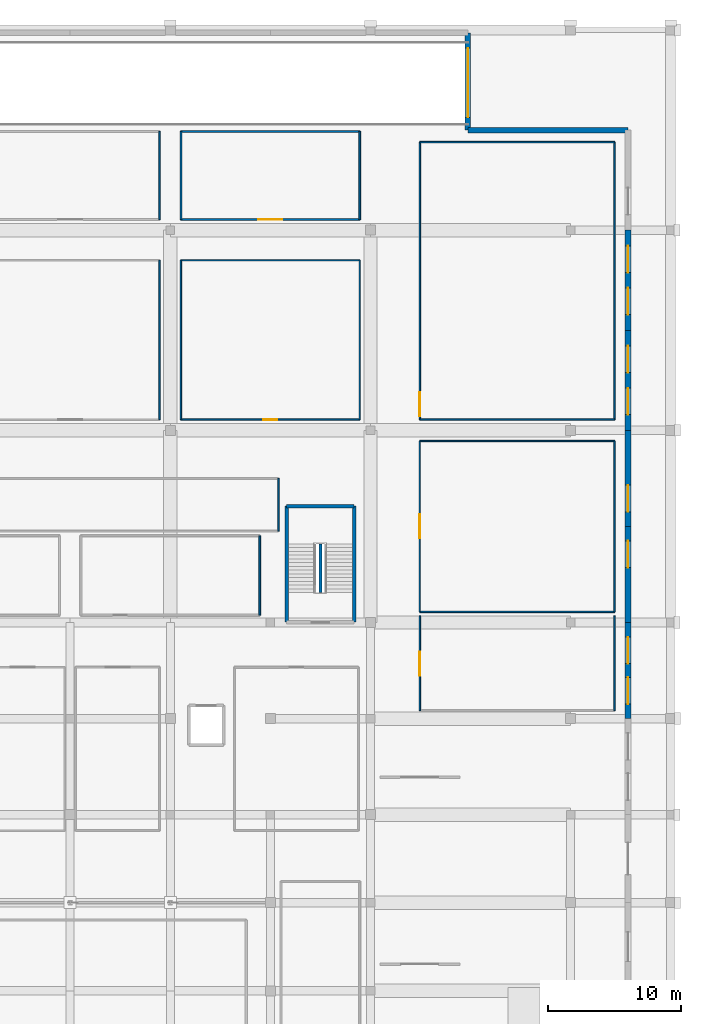
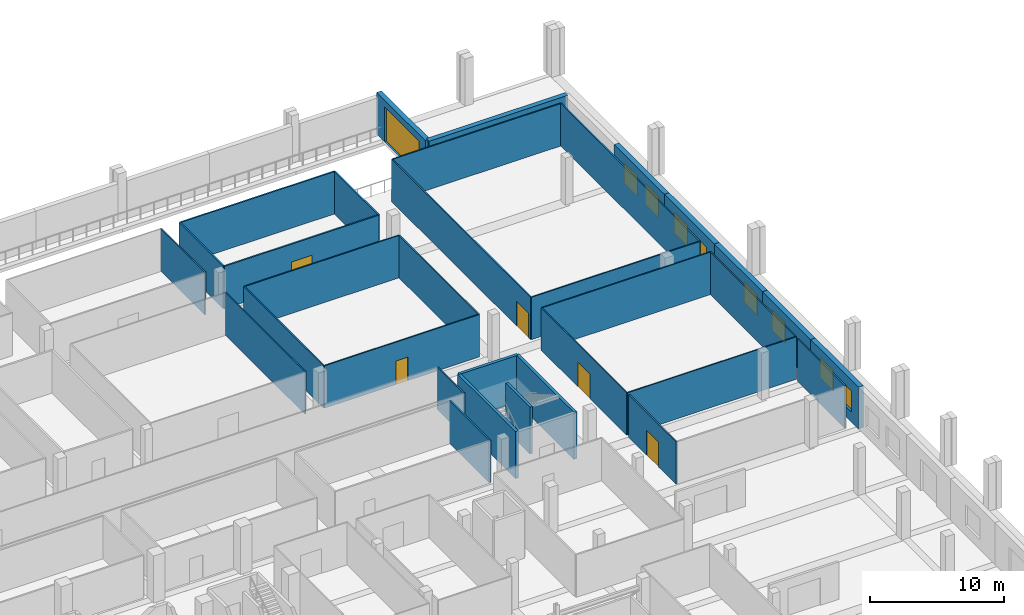
# One storey, part 24 of 33: 33 walls, 8 windows, 6 doors, 14 openings.
"""IFC4 building model written with IfcOpenShell, lengths in metres."""

from ifc_helpers import new_model, si_unit, direction, frame, frame_2d, origin, place, context, subcontext, project, spatial, rectangle, extrude, material, layer, layer_set, type_object, element, fill, save


model = new_model("IFC4")

# Units and contexts
model_context = context("Model", 3, precision=1e-05, world=origin(), true_north=direction((0.0, 1.0)))
body_context = subcontext(model_context, "Body", "Model", "MODEL_VIEW")
ifc_project = project(units=[si_unit("LENGTHUNIT", "METRE"), si_unit("AREAUNIT", "SQUARE_METRE"), si_unit("VOLUMEUNIT", "CUBIC_METRE"), si_unit("PLANEANGLEUNIT", "RADIAN"), si_unit("MASSUNIT", "GRAM", prefix="KILO")], contexts=[model_context])

# Site, building, storey
site_placement = place(None, origin())
site = spatial("IfcSite", under=ifc_project, at=site_placement, CompositionType="ELEMENT")
building_placement = place(site_placement, origin())
building = spatial("IfcBuilding", under=site, at=building_placement, Name="Akrevak Sports Hall", CompositionType="ELEMENT")
storey_placement = place(building_placement, origin())
storey = spatial("IfcBuildingStorey", under=building, at=storey_placement, Name="L00", CompositionType="ELEMENT", Elevation=0.0)

# Wall, openings, windows
ifc_material_1 = material(Name="Limestone Ashlar", Category="stone")
ifc_layer_1 = layer(ifc_material_1, 0.090087890625, Name="Limestone Ashlar")
ifc_material_2 = material(Name="Mineral Wool Thermal Insulation", Category="insulation")
ifc_layer_2 = layer(ifc_material_2, 0.110107421875, Name="Mineral Wool Thermal Insulation")
ifc_material_3 = material(Name="Concrete C40/50", Category="concrete")
ifc_layer_3 = layer(ifc_material_3, 0.219970703125, Name="Concrete C40/50")
ifc_layer_set_1 = layer_set([ifc_layer_1, ifc_layer_2, ifc_layer_3], Name="Limestone Ashlar / Mineral Wool Thermal Insulation / Concrete C40/50")
wall_type_1 = type_object("IfcWallType", Name="ARC-WL-EXT-420", PredefinedType="SOLIDWALL", material=ifc_layer_set_1)
wall_1_placement = place(storey_placement, frame((164.800048828125, 62.39990234375, 0.0), z_axis=(0.0, 0.0, 1.0), x_axis=(0.0, 1.0, 0.0)))
wall_1 = element("IfcWall", 1, at=wall_1_placement, inside=storey, type_object=wall_type_1, Name="East Avenue Arcade Limestone Wall L00-E10", PredefinedType="SOLIDWALL", context=body_context, shape_type="SweptSolid", body=[
    extrude(rectangle(XDim=7.2001953125, YDim=0.419921875, at=frame_2d((3.60009765625, 0.0))), origin(), (0.0, 0.0, 1.0), 3.820068359375),
])
opening_1_placement = place(wall_1_placement, frame((1.087890625, 0.0, 0.919921875)))
opening_1 = element("IfcOpeningElement", 2, at=opening_1_placement, cuts=wall_1, Name="Opening WN-28", PredefinedType="OPENING", context=body_context, shape_type="SweptSolid", body=[
    extrude(rectangle(XDim=2.0, YDim=1.889892578125, at=frame_2d((1.0, 0.94482421875))), frame((0.0, 0.221923828125, 0.0), z_axis=(0.0, -1.0, 0.0), x_axis=(1.0, 0.0, 0.0)), (0.0, 0.0, 1.0), 0.44384765625),
])
opening_2_placement = place(wall_1_placement, frame((4.112060546875, 0.0, 0.919921875)))
opening_2 = element("IfcOpeningElement", 3, at=opening_2_placement, cuts=wall_1, Name="Opening WN-28", PredefinedType="OPENING", context=body_context, shape_type="SweptSolid", body=[
    extrude(rectangle(XDim=2.0, YDim=1.889892578125, at=frame_2d((1.0, 0.94482421875))), frame((0.0, 0.221923828125, 0.0), z_axis=(0.0, -1.0, 0.0), x_axis=(1.0, 0.0, 0.0)), (0.0, 0.0, 1.0), 0.44384765625),
])
ifc_material_4 = material(Name="Thermally Broken Bronze Frame & Double Low-E Glass", Category="glass")
window_type = type_object("IfcWindowType", Name="ARC-WIN-SZ-2000x1890", PartitioningType="SINGLE_PANEL", PredefinedType="WINDOW", material=ifc_material_4)
window_1_placement = place(opening_1_placement, origin())
window_1 = element("IfcWindow", 4, at=window_1_placement, inside=storey, type_object=window_type, Name="Beaux-Arts Facade Window WIN-L00-E10-1", OverallHeight=1.889892578125, OverallWidth=2.0, PartitioningType="SINGLE_PANEL", PredefinedType="WINDOW", context=body_context, shape_type="SweptSolid", body=[
    extrude(rectangle(XDim=2.0, YDim=1.889892578125, at=frame_2d((1.0, 0.94482421875))), frame((0.0, 0.030029296875, 0.0), z_axis=(0.0, -1.0, 0.0), x_axis=(1.0, 0.0, 0.0)), (0.0, 0.0, 1.0), 0.06005859375),
])
fill(opening_1, window_1)
window_2_placement = place(opening_2_placement, origin())
window_2 = element("IfcWindow", 5, at=window_2_placement, inside=storey, type_object=window_type, Name="Beaux-Arts Facade Window WIN-L00-E10-2", OverallHeight=1.889892578125, OverallWidth=2.0, PartitioningType="SINGLE_PANEL", PredefinedType="WINDOW", context=body_context, shape_type="SweptSolid", body=[
    extrude(rectangle(XDim=2.0, YDim=1.889892578125, at=frame_2d((1.0, 0.94482421875))), frame((0.0, 0.030029296875, 0.0), z_axis=(0.0, -1.0, 0.0), x_axis=(1.0, 0.0, 0.0)), (0.0, 0.0, 1.0), 0.06005859375),
])
fill(opening_2, window_2)

# Wall, opening, window
wall_2_placement = place(storey_placement, frame((164.800048828125, 69.60009765625, 0.0), z_axis=(0.0, 0.0, 1.0), x_axis=(0.0, 1.0, 0.0)))
wall_2 = element("IfcWall", 6, at=wall_2_placement, inside=storey, type_object=wall_type_1, Name="East Avenue Arcade Limestone Wall L00-E11", PredefinedType="SOLIDWALL", context=body_context, shape_type="SweptSolid", body=[
    extrude(rectangle(XDim=7.199951171875, YDim=0.419921875, at=frame_2d((3.60009765625, 0.0))), origin(), (0.0, 0.0, 1.0), 3.820068359375),
])
opening_3_placement = place(wall_2_placement, frame((4.112060546875, 0.0, 0.919921875)))
opening_3 = element("IfcOpeningElement", 7, at=opening_3_placement, cuts=wall_2, Name="Opening WN-28", PredefinedType="OPENING", context=body_context, shape_type="SweptSolid", body=[
    extrude(rectangle(XDim=2.0, YDim=1.889892578125, at=frame_2d((1.0, 0.94482421875))), frame((0.0, 0.221923828125, 0.0), z_axis=(0.0, -1.0, 0.0), x_axis=(1.0, 0.0, 0.0)), (0.0, 0.0, 1.0), 0.44384765625),
])
window_3_placement = place(opening_3_placement, origin())
window_3 = element("IfcWindow", 8, at=window_3_placement, inside=storey, type_object=window_type, Name="Beaux-Arts Facade Window WIN-L00-E11-2", OverallHeight=1.889892578125, OverallWidth=2.0, PartitioningType="SINGLE_PANEL", PredefinedType="WINDOW", context=body_context, shape_type="SweptSolid", body=[
    extrude(rectangle(XDim=2.0, YDim=1.889892578125, at=frame_2d((1.0, 0.94482421875))), frame((0.0, 0.030029296875, 0.0), z_axis=(0.0, -1.0, 0.0), x_axis=(1.0, 0.0, 0.0)), (0.0, 0.0, 1.0), 0.06005859375),
])
fill(opening_3, window_3)

wall_3_placement = place(storey_placement, frame((164.800048828125, 76.800048828125, 0.0), z_axis=(0.0, 0.0, 1.0), x_axis=(0.0, 1.0, 0.0)))
wall_3 = element("IfcWall", 9, at=wall_3_placement, inside=storey, type_object=wall_type_1, Name="East Avenue Arcade Limestone Wall L00-E12", PredefinedType="SOLIDWALL", context=body_context, shape_type="SweptSolid", body=[
    extrude(rectangle(XDim=7.199951171875, YDim=0.419921875, at=frame_2d((3.60009765625, 0.0))), origin(), (0.0, 0.0, 1.0), 3.820068359375),
])
opening_4_placement = place(wall_3_placement, frame((1.087890625, 0.0, 0.919921875)))
opening_4 = element("IfcOpeningElement", 10, at=opening_4_placement, cuts=wall_3, Name="Opening WN-28", PredefinedType="OPENING", context=body_context, shape_type="SweptSolid", body=[
    extrude(rectangle(XDim=2.0, YDim=1.889892578125, at=frame_2d((1.0, 0.94482421875))), frame((0.0, 0.221923828125, 0.0), z_axis=(0.0, -1.0, 0.0), x_axis=(1.0, 0.0, 0.0)), (0.0, 0.0, 1.0), 0.44384765625),
])
window_4_placement = place(opening_4_placement, origin())
window_4 = element("IfcWindow", 11, at=window_4_placement, inside=storey, type_object=window_type, Name="Beaux-Arts Facade Window WIN-L00-E12-1", OverallHeight=1.889892578125, OverallWidth=2.0, PartitioningType="SINGLE_PANEL", PredefinedType="WINDOW", context=body_context, shape_type="SweptSolid", body=[
    extrude(rectangle(XDim=2.0, YDim=1.889892578125, at=frame_2d((1.0, 0.94482421875))), frame((0.0, 0.030029296875, 0.0), z_axis=(0.0, -1.0, 0.0), x_axis=(1.0, 0.0, 0.0)), (0.0, 0.0, 1.0), 0.06005859375),
])
fill(opening_4, window_4)

# Wall, openings, windows
wall_4_placement = place(storey_placement, frame((164.800048828125, 84.0, 0.0), z_axis=(0.0, 0.0, 1.0), x_axis=(0.0, 1.0, 0.0)))
wall_4 = element("IfcWall", 12, at=wall_4_placement, inside=storey, type_object=wall_type_1, Name="East Avenue Arcade Limestone Wall L00-E13", PredefinedType="SOLIDWALL", context=body_context, shape_type="SweptSolid", body=[
    extrude(rectangle(XDim=7.5, YDim=0.419921875, at=frame_2d((3.75, 0.0))), origin(), (0.0, 0.0, 1.0), 3.820068359375),
])
opening_5_placement = place(wall_4_placement, frame((1.175048828125, 0.0, 0.919921875)))
opening_5 = element("IfcOpeningElement", 13, at=opening_5_placement, cuts=wall_4, Name="Opening WN-28", PredefinedType="OPENING", context=body_context, shape_type="SweptSolid", body=[
    extrude(rectangle(XDim=2.0, YDim=1.889892578125, at=frame_2d((1.0, 0.94482421875))), frame((0.0, 0.221923828125, 0.0), z_axis=(0.0, -1.0, 0.0), x_axis=(1.0, 0.0, 0.0)), (0.0, 0.0, 1.0), 0.44384765625),
])
opening_6_placement = place(wall_4_placement, frame((4.324951171875, 0.0, 0.919921875)))
opening_6 = element("IfcOpeningElement", 14, at=opening_6_placement, cuts=wall_4, Name="Opening WN-28", PredefinedType="OPENING", context=body_context, shape_type="SweptSolid", body=[
    extrude(rectangle(XDim=2.0, YDim=1.889892578125, at=frame_2d((1.0, 0.94482421875))), frame((0.0, 0.221923828125, 0.0), z_axis=(0.0, -1.0, 0.0), x_axis=(1.0, 0.0, 0.0)), (0.0, 0.0, 1.0), 0.44384765625),
])
window_5_placement = place(opening_5_placement, origin())
window_5 = element("IfcWindow", 15, at=window_5_placement, inside=storey, type_object=window_type, Name="Beaux-Arts Facade Window WIN-L00-E13-1", OverallHeight=1.889892578125, OverallWidth=2.0, PartitioningType="SINGLE_PANEL", PredefinedType="WINDOW", context=body_context, shape_type="SweptSolid", body=[
    extrude(rectangle(XDim=2.0, YDim=1.889892578125, at=frame_2d((1.0, 0.94482421875))), frame((0.0, 0.030029296875, 0.0), z_axis=(0.0, -1.0, 0.0), x_axis=(1.0, 0.0, 0.0)), (0.0, 0.0, 1.0), 0.06005859375),
])
fill(opening_5, window_5)
window_6_placement = place(opening_6_placement, origin())
window_6 = element("IfcWindow", 16, at=window_6_placement, inside=storey, type_object=window_type, Name="Beaux-Arts Facade Window WIN-L00-E13-2", OverallHeight=1.889892578125, OverallWidth=2.0, PartitioningType="SINGLE_PANEL", PredefinedType="WINDOW", context=body_context, shape_type="SweptSolid", body=[
    extrude(rectangle(XDim=2.0, YDim=1.889892578125, at=frame_2d((1.0, 0.94482421875))), frame((0.0, 0.030029296875, 0.0), z_axis=(0.0, -1.0, 0.0), x_axis=(1.0, 0.0, 0.0)), (0.0, 0.0, 1.0), 0.06005859375),
])
fill(opening_6, window_6)

wall_5_placement = place(storey_placement, frame((164.800048828125, 91.5, 0.0), z_axis=(0.0, 0.0, 1.0), x_axis=(0.0, 1.0, 0.0)))
wall_5 = element("IfcWall", 17, at=wall_5_placement, inside=storey, type_object=wall_type_1, Name="East Avenue Arcade Limestone Wall L00-E14", PredefinedType="SOLIDWALL", context=body_context, shape_type="SweptSolid", body=[
    extrude(rectangle(XDim=7.5, YDim=0.419921875, at=frame_2d((3.75, 0.0))), origin(), (0.0, 0.0, 1.0), 3.820068359375),
])
opening_7_placement = place(wall_5_placement, frame((1.175048828125, 0.0, 0.919921875)))
opening_7 = element("IfcOpeningElement", 18, at=opening_7_placement, cuts=wall_5, Name="Opening WN-28", PredefinedType="OPENING", context=body_context, shape_type="SweptSolid", body=[
    extrude(rectangle(XDim=2.0, YDim=1.889892578125, at=frame_2d((1.0, 0.94482421875))), frame((0.0, 0.221923828125, 0.0), z_axis=(0.0, -1.0, 0.0), x_axis=(1.0, 0.0, 0.0)), (0.0, 0.0, 1.0), 0.44384765625),
])
opening_8_placement = place(wall_5_placement, frame((4.324951171875, 0.0, 0.919921875)))
opening_8 = element("IfcOpeningElement", 19, at=opening_8_placement, cuts=wall_5, Name="Opening WN-28", PredefinedType="OPENING", context=body_context, shape_type="SweptSolid", body=[
    extrude(rectangle(XDim=2.0, YDim=1.889892578125, at=frame_2d((1.0, 0.94482421875))), frame((0.0, 0.221923828125, 0.0), z_axis=(0.0, -1.0, 0.0), x_axis=(1.0, 0.0, 0.0)), (0.0, 0.0, 1.0), 0.44384765625),
])
window_7_placement = place(opening_7_placement, origin())
window_7 = element("IfcWindow", 20, at=window_7_placement, inside=storey, type_object=window_type, Name="Beaux-Arts Facade Window WIN-L00-E14-1", OverallHeight=1.889892578125, OverallWidth=2.0, PartitioningType="SINGLE_PANEL", PredefinedType="WINDOW", context=body_context, shape_type="SweptSolid", body=[
    extrude(rectangle(XDim=2.0, YDim=1.889892578125, at=frame_2d((1.0, 0.94482421875))), frame((0.0, 0.030029296875, 0.0), z_axis=(0.0, -1.0, 0.0), x_axis=(1.0, 0.0, 0.0)), (0.0, 0.0, 1.0), 0.06005859375),
])
fill(opening_7, window_7)
window_8_placement = place(opening_8_placement, origin())
window_8 = element("IfcWindow", 21, at=window_8_placement, inside=storey, type_object=window_type, Name="Beaux-Arts Facade Window WIN-L00-E14-2", OverallHeight=1.889892578125, OverallWidth=2.0, PartitioningType="SINGLE_PANEL", PredefinedType="WINDOW", context=body_context, shape_type="SweptSolid", body=[
    extrude(rectangle(XDim=2.0, YDim=1.889892578125, at=frame_2d((1.0, 0.94482421875))), frame((0.0, 0.030029296875, 0.0), z_axis=(0.0, -1.0, 0.0), x_axis=(1.0, 0.0, 0.0)), (0.0, 0.0, 1.0), 0.06005859375),
])
fill(opening_8, window_8)

# Wall
wall_6_placement = place(storey_placement, frame((164.800048828125, 106.5, 0.0), z_axis=(0.0, 0.0, 1.0), x_axis=(-1.0, 0.0, 0.0)))
element("IfcWall", 22, at=wall_6_placement, inside=storey, type_object=wall_type_1, Name="Vehicle Ramp Forecourt Return Wall L00", PredefinedType="SOLIDWALL", context=body_context, shape_type="SweptSolid", body=[
    extrude(rectangle(XDim=12.0, YDim=0.419921875, at=frame_2d((6.0, 0.0))), origin(), (0.0, 0.0, 1.0), 3.820068359375),
])

# Wall, opening, door
wall_7_placement = place(storey_placement, frame((152.800048828125, 106.5, 0.0), z_axis=(0.0, 0.0, 1.0), x_axis=(0.0, 1.0, 0.0)))
wall_7 = element("IfcWall", 23, at=wall_7_placement, inside=storey, type_object=wall_type_1, Name="Vehicle Ramp Entrance Portal Wall L00", PredefinedType="SOLIDWALL", context=body_context, shape_type="SweptSolid", body=[
    extrude(rectangle(XDim=7.2900390625, YDim=0.419921875, at=frame_2d((3.64501953125, 0.0))), origin(), (0.0, 0.0, 1.0), 3.820068359375),
])
opening_9_placement = place(wall_7_placement, frame((0.949951171875, 0.0, 0.0)))
opening_9 = element("IfcOpeningElement", 24, at=opening_9_placement, cuts=wall_7, Name="Opening VG-01", PredefinedType="OPENING", context=body_context, shape_type="SweptSolid", body=[
    extrude(rectangle(XDim=5.199951171875, YDim=3.199951171875, at=frame_2d((2.60009765625, 1.60009765625))), frame((0.0, 0.221923828125, 0.0), z_axis=(0.0, -1.0, 0.0), x_axis=(1.0, 0.0, 0.0)), (0.0, 0.0, 1.0), 0.44384765625),
])
ifc_material_5 = material(Name="Galvanized Roller Shutter Steel", Category="steel")
door_type_1 = type_object("IfcDoorType", Name="ARC-DR-VEH-520x320", OperationType="ROLLINGUP", PredefinedType="DOOR", material=ifc_material_5)
door_1_placement = place(opening_9_placement, frame((5.199951171875, 0.0, 0.0), z_axis=(0.0, 0.0, 1.0), x_axis=(-1.0, 0.0, 0.0)))
door_1 = element("IfcDoor", 25, at=door_1_placement, inside=storey, type_object=door_type_1, Name="Car Park Ramp Roller Shutter VG01", OperationType="ROLLINGUP", OverallHeight=3.199951171875, OverallWidth=5.199951171875, PredefinedType="DOOR", context=body_context, shape_type="SweptSolid", body=[
    extrude(rectangle(XDim=5.199951171875, YDim=3.199951171875, at=frame_2d((2.60009765625, 1.60009765625))), frame((0.0, 0.02490234375, 0.0), z_axis=(0.0, -1.0, 0.0), x_axis=(1.0, 0.0, 0.0)), (0.0, 0.0, 1.0), 0.050048828125),
])
fill(opening_9, door_1)

# Walls
ifc_material_6 = material(Name="Sanitary Cubicle Partition", Category="gypsum")
ifc_layer_4 = layer(ifc_material_6, 0.10009765625, Name="Sanitary Cubicle Partition")
ifc_layer_set_2 = layer_set([ifc_layer_4], Name="Sanitary Cubicle Partition")
wall_type_2 = type_object("IfcWallType", Name="ARC-WL-PRT-100", PredefinedType="PARTITIONING", material=ifc_layer_set_2)
wall_8_placement = place(storey_placement, frame((129.699951171875, 84.800048828125, 0.0), z_axis=(0.0, 0.0, 1.0), x_axis=(0.0, 1.0, 0.0)))
element("IfcWall", 26, at=wall_8_placement, inside=storey, type_object=wall_type_2, Name="Interior Partition Athletic Gear & Equipment Storage L00-10 (E)", PredefinedType="PARTITIONING", context=body_context, shape_type="SweptSolid", body=[
    extrude(rectangle(XDim=11.949951171875, YDim=0.10009765625, at=frame_2d((5.97509765625, 0.0))), origin(), (0.0, 0.0, 1.0), 3.8798828125),
])
for number, where, z_axis, x_axis, name in (
    (27, (149.199951171875, 70.39990234375, 0.0), (0.0, 0.0, 1.0), (1.0, 0.0, 0.0), "Interior Partition North-East Hurdles & Mat Storage L00-1 (S)"),
    (28, (149.199951171875, 83.199951171875, 0.0), (0.0, 0.0, 1.0), (1.0, 0.0, 0.0), "Interior Partition North-East Hurdles & Mat Storage L00-1 (N)"),
):
    element("IfcWall", number, at=place(storey_placement, frame(where, z_axis=z_axis, x_axis=x_axis)), inside=storey, type_object=wall_type_2, Name=name, PredefinedType="PARTITIONING", context=body_context, shape_type="SweptSolid", body=[
        extrude(rectangle(XDim=14.60009765625, YDim=0.10009765625, at=frame_2d((7.300048828125, 0.0))), origin(), (0.0, 0.0, 1.0), 3.8798828125),
    ])

# Wall, opening, door
wall_9_placement = place(storey_placement, frame((149.199951171875, 70.39990234375, 0.0), z_axis=(0.0, 0.0, 1.0), x_axis=(0.0, 1.0, 0.0)))
wall_9 = element("IfcWall", 29, at=wall_9_placement, inside=storey, type_object=wall_type_2, Name="Interior Partition North-East Hurdles & Mat Storage L00-1 (W)", PredefinedType="PARTITIONING", context=body_context, shape_type="SweptSolid", body=[
    extrude(rectangle(XDim=12.800048828125, YDim=0.10009765625, at=frame_2d((6.39990234375, 0.0))), origin(), (0.0, 0.0, 1.0), 3.8798828125),
])
opening_10_placement = place(wall_9_placement, frame((5.5, 0.0, 0.0)))
opening_10 = element("IfcOpeningElement", 30, at=opening_10_placement, cuts=wall_9, Name="Opening ID-02", PredefinedType="OPENING", context=body_context, shape_type="SweptSolid", body=[
    extrude(rectangle(XDim=1.800048828125, YDim=2.25, at=frame_2d((0.89990234375, 1.125))), frame((0.0, 0.06201171875, 0.0), z_axis=(0.0, -1.0, 0.0), x_axis=(1.0, 0.0, 0.0)), (0.0, 0.0, 1.0), 0.1240234375),
])
ifc_material_7 = material(Name="Hardwood Oak & Safety Glass", Category="wood")
door_type_2 = type_object("IfcDoorType", Name="ARC-DR-HALL-180x225", OperationType="DOUBLE_DOOR_SINGLE_SWING", PredefinedType="DOOR", material=ifc_material_7)
door_2_placement = place(opening_10_placement, origin())
door_2 = element("IfcDoor", 31, at=door_2_placement, inside=storey, type_object=door_type_2, Name="Door to North-East Hurdles & Mat Storage L00-1", OperationType="DOUBLE_DOOR_SINGLE_SWING", OverallHeight=2.25, OverallWidth=1.800048828125, PredefinedType="DOOR", context=body_context, shape_type="SweptSolid", body=[
    extrude(rectangle(XDim=1.800048828125, YDim=2.25, at=frame_2d((0.89990234375, 1.125))), frame((0.0, 0.02490234375, 0.0), z_axis=(0.0, -1.0, 0.0), x_axis=(1.0, 0.0, 0.0)), (0.0, 0.0, 1.0), 0.050048828125),
])
fill(opening_10, door_2)

# Wall
wall_10_placement = place(storey_placement, frame((163.800048828125, 70.39990234375, 0.0), z_axis=(0.0, 0.0, 1.0), x_axis=(0.0, 1.0, 0.0)))
element("IfcWall", 32, at=wall_10_placement, inside=storey, type_object=wall_type_2, Name="Interior Partition North-East Hurdles & Mat Storage L00-1 (E)", PredefinedType="PARTITIONING", context=body_context, shape_type="SweptSolid", body=[
    extrude(rectangle(XDim=12.800048828125, YDim=0.10009765625, at=frame_2d((6.39990234375, 0.0))), origin(), (0.0, 0.0, 1.0), 3.8798828125),
])

# Wall, opening, door
ifc_material_8 = material(Name="Lightweight Office Partition", Category="gypsum")
ifc_layer_5 = layer(ifc_material_8, 0.110107421875, Name="Lightweight Office Partition")
ifc_layer_set_3 = layer_set([ifc_layer_5], Name="Lightweight Office Partition")
wall_type_3 = type_object("IfcWallType", Name="ARC-WL-PRT-110", PredefinedType="PARTITIONING", material=ifc_layer_set_3)
wall_11_placement = place(storey_placement, frame((131.300048828125, 84.800048828125, 0.0), z_axis=(0.0, 0.0, 1.0), x_axis=(1.0, 0.0, 0.0)))
wall_11 = element("IfcWall", 33, at=wall_11_placement, inside=storey, type_object=wall_type_3, Name="Interior Partition Sports Federation Training Office L00-11 (S)", PredefinedType="PARTITIONING", context=body_context, shape_type="SweptSolid", body=[
    extrude(rectangle(XDim=13.39990234375, YDim=0.110107421875, at=frame_2d((6.699951171875, 0.0))), origin(), (0.0, 0.0, 1.0), 3.8798828125),
])
opening_11_placement = place(wall_11_placement, frame((6.175048828125, 0.0, 0.0)))
opening_11 = element("IfcOpeningElement", 34, at=opening_11_placement, cuts=wall_11, Name="Opening ID-05", PredefinedType="OPENING", context=body_context, shape_type="SweptSolid", body=[
    extrude(rectangle(XDim=1.050048828125, YDim=2.14990234375, at=frame_2d((0.52490234375, 1.074951171875))), frame((0.0, 0.06689453125, 0.0), z_axis=(0.0, -1.0, 0.0), x_axis=(1.0, 0.0, 0.0)), (0.0, 0.0, 1.0), 0.134033203125),
])
ifc_material_9 = material(Name="Hardwood Oak Acoustic Leaf", Category="wood")
door_type_3 = type_object("IfcDoorType", Name="ARC-DR-OFF-105x215", OperationType="NOTDEFINED", PredefinedType="DOOR", material=ifc_material_9)
door_3_placement = place(opening_11_placement, frame((1.050048828125, 0.0, 0.0), z_axis=(0.0, 0.0, 1.0), x_axis=(-1.0, 0.0, 0.0)))
door_3 = element("IfcDoor", 35, at=door_3_placement, inside=storey, type_object=door_type_3, Name="Door to Sports Federation Training Office L00-11", OperationType="SINGLE_SWING_RIGHT", OverallHeight=2.14990234375, OverallWidth=1.050048828125, PredefinedType="DOOR", context=body_context, shape_type="SweptSolid", body=[
    extrude(rectangle(XDim=1.050048828125, YDim=2.14990234375, at=frame_2d((0.52490234375, 1.074951171875))), frame((0.0, 0.02490234375, 0.0), z_axis=(0.0, -1.0, 0.0), x_axis=(1.0, 0.0, 0.0)), (0.0, 0.0, 1.0), 0.050048828125),
])
fill(opening_11, door_3)

# Walls
wall_12_placement = place(storey_placement, frame((131.300048828125, 96.75, 0.0), z_axis=(0.0, 0.0, 1.0), x_axis=(1.0, 0.0, 0.0)))
element("IfcWall", 36, at=wall_12_placement, inside=storey, type_object=wall_type_3, Name="Interior Partition Sports Federation Training Office L00-11 (N)", PredefinedType="PARTITIONING", context=body_context, shape_type="SweptSolid", body=[
    extrude(rectangle(XDim=13.39990234375, YDim=0.110107421875, at=frame_2d((6.699951171875, 0.0))), origin(), (0.0, 0.0, 1.0), 3.8798828125),
])
for number, where, z_axis, x_axis, name in (
    (37, (131.300048828125, 84.800048828125, 0.0), (0.0, 0.0, 1.0), (0.0, 1.0, 0.0), "Interior Partition Sports Federation Training Office L00-11 (W)"),
    (38, (144.699951171875, 84.800048828125, 0.0), (0.0, 0.0, 1.0), (0.0, 1.0, 0.0), "Interior Partition Sports Federation Training Office L00-11 (E)"),
):
    element("IfcWall", number, at=place(storey_placement, frame(where, z_axis=z_axis, x_axis=x_axis)), inside=storey, type_object=wall_type_3, Name=name, PredefinedType="PARTITIONING", context=body_context, shape_type="SweptSolid", body=[
        extrude(rectangle(XDim=11.949951171875, YDim=0.110107421875, at=frame_2d((5.97509765625, 0.0))), origin(), (0.0, 0.0, 1.0), 3.8798828125),
    ])
for number, where, z_axis, x_axis, name in (
    (39, (149.199951171875, 84.800048828125, 0.0), (0.0, 0.0, 1.0), (1.0, 0.0, 0.0), "Interior Partition North-East Bleacher & Rigging Storage L00-2 (S)"),
    (40, (149.199951171875, 105.60009765625, 0.0), (0.0, 0.0, 1.0), (1.0, 0.0, 0.0), "Interior Partition North-East Bleacher & Rigging Storage L00-2 (N)"),
):
    element("IfcWall", number, at=place(storey_placement, frame(where, z_axis=z_axis, x_axis=x_axis)), inside=storey, type_object=wall_type_3, Name=name, PredefinedType="PARTITIONING", context=body_context, shape_type="SweptSolid", body=[
        extrude(rectangle(XDim=14.60009765625, YDim=0.110107421875, at=frame_2d((7.300048828125, 0.0))), origin(), (0.0, 0.0, 1.0), 3.8798828125),
    ])

# Wall, opening, door
wall_13_placement = place(storey_placement, frame((149.199951171875, 84.800048828125, 0.0), z_axis=(0.0, 0.0, 1.0), x_axis=(0.0, 1.0, 0.0)))
wall_13 = element("IfcWall", 41, at=wall_13_placement, inside=storey, type_object=wall_type_3, Name="Interior Partition North-East Bleacher & Rigging Storage L00-2 (W)", PredefinedType="PARTITIONING", context=body_context, shape_type="SweptSolid", body=[
    extrude(rectangle(XDim=20.800048828125, YDim=0.110107421875, at=frame_2d((10.39990234375, 0.0))), origin(), (0.0, 0.0, 1.0), 3.8798828125),
])
opening_12_placement = place(wall_13_placement, frame((0.25, 0.0, 0.0)))
opening_12 = element("IfcOpeningElement", 42, at=opening_12_placement, cuts=wall_13, Name="Opening ID-02", PredefinedType="OPENING", context=body_context, shape_type="SweptSolid", body=[
    extrude(rectangle(XDim=1.800048828125, YDim=2.25, at=frame_2d((0.89990234375, 1.125))), frame((0.0, 0.06689453125, 0.0), z_axis=(0.0, -1.0, 0.0), x_axis=(1.0, 0.0, 0.0)), (0.0, 0.0, 1.0), 0.134033203125),
])
door_4_placement = place(opening_12_placement, origin())
door_4 = element("IfcDoor", 43, at=door_4_placement, inside=storey, type_object=door_type_2, Name="Door to North-East Bleacher & Rigging Storage L00-2", OperationType="DOUBLE_DOOR_SINGLE_SWING", OverallHeight=2.25, OverallWidth=1.800048828125, PredefinedType="DOOR", context=body_context, shape_type="SweptSolid", body=[
    extrude(rectangle(XDim=1.800048828125, YDim=2.25, at=frame_2d((0.89990234375, 1.125))), frame((0.0, 0.02490234375, 0.0), z_axis=(0.0, -1.0, 0.0), x_axis=(1.0, 0.0, 0.0)), (0.0, 0.0, 1.0), 0.050048828125),
])
fill(opening_12, door_4)

# Walls
wall_14_placement = place(storey_placement, frame((163.800048828125, 84.800048828125, 0.0), z_axis=(0.0, 0.0, 1.0), x_axis=(0.0, 1.0, 0.0)))
element("IfcWall", 44, at=wall_14_placement, inside=storey, type_object=wall_type_3, Name="Interior Partition North-East Bleacher & Rigging Storage L00-2 (E)", PredefinedType="PARTITIONING", context=body_context, shape_type="SweptSolid", body=[
    extrude(rectangle(XDim=20.800048828125, YDim=0.110107421875, at=frame_2d((10.39990234375, 0.0))), origin(), (0.0, 0.0, 1.0), 3.8798828125),
])
wall_15_placement = place(storey_placement, frame((138.60009765625, 76.449951171875, 0.0), z_axis=(0.0, 0.0, 1.0), x_axis=(0.0, 1.0, 0.0)))
element("IfcWall", 45, at=wall_15_placement, inside=storey, type_object=wall_type_3, Name="Interior Partition North Athletes Gear & Kit Storage L00-2 (E)", PredefinedType="PARTITIONING", context=body_context, shape_type="SweptSolid", body=[
    extrude(rectangle(XDim=3.949951171875, YDim=0.110107421875, at=frame_2d((1.97509765625, 0.0))), origin(), (0.0, 0.0, 1.0), 3.8798828125),
])
ifc_material_10 = material(Name="Standard Metal Stud Partition", Category="gypsum")
ifc_layer_6 = layer(ifc_material_10, 0.1201171875, Name="Standard Metal Stud Partition")
ifc_layer_set_4 = layer_set([ifc_layer_6], Name="Standard Metal Stud Partition")
wall_type_4 = type_object("IfcWallType", Name="ARC-WL-PRT-120", PredefinedType="PARTITIONING", material=ifc_layer_set_4)
wall_16_placement = place(storey_placement, frame((129.699951171875, 99.800048828125, 0.0), z_axis=(0.0, 0.0, 1.0), x_axis=(0.0, 1.0, 0.0)))
element("IfcWall", 46, at=wall_16_placement, inside=storey, type_object=wall_type_4, Name="Interior Partition North-East Competition Gear Storage L00-A (E)", PredefinedType="PARTITIONING", context=body_context, shape_type="SweptSolid", body=[
    extrude(rectangle(XDim=6.599853515625, YDim=0.1201171875, at=frame_2d((3.2998046875, 0.0))), origin(), (0.0, 0.0, 1.0), 3.8798828125),
])

# Wall, opening, door
wall_17_placement = place(storey_placement, frame((149.199951171875, 63.0, 0.0), z_axis=(0.0, 0.0, 1.0), x_axis=(0.0, 1.0, 0.0)))
wall_17 = element("IfcWall", 47, at=wall_17_placement, inside=storey, type_object=wall_type_4, Name="Interior Partition North-East Team Kit Storage L00 (W)", PredefinedType="PARTITIONING", context=body_context, shape_type="SweptSolid", body=[
    extrude(rectangle(XDim=7.10009765625, YDim=0.1201171875, at=frame_2d((3.550048828125, 0.0))), origin(), (0.0, 0.0, 1.0), 3.8798828125),
])
opening_13_placement = place(wall_17_placement, frame((2.60009765625, 0.0, 0.0)))
opening_13 = element("IfcOpeningElement", 48, at=opening_13_placement, cuts=wall_17, Name="Opening ID-02", PredefinedType="OPENING", context=body_context, shape_type="SweptSolid", body=[
    extrude(rectangle(XDim=1.800048828125, YDim=2.25, at=frame_2d((0.89990234375, 1.125))), frame((0.0, 0.072021484375, 0.0), z_axis=(0.0, -1.0, 0.0), x_axis=(1.0, 0.0, 0.0)), (0.0, 0.0, 1.0), 0.14404296875),
])
door_5_placement = place(opening_13_placement, origin())
door_5 = element("IfcDoor", 49, at=door_5_placement, inside=storey, type_object=door_type_2, Name="Door to North-East Team Kit Storage L00", OperationType="DOUBLE_DOOR_SINGLE_SWING", OverallHeight=2.25, OverallWidth=1.800048828125, PredefinedType="DOOR", context=body_context, shape_type="SweptSolid", body=[
    extrude(rectangle(XDim=1.800048828125, YDim=2.25, at=frame_2d((0.89990234375, 1.125))), frame((0.0, 0.02490234375, 0.0), z_axis=(0.0, -1.0, 0.0), x_axis=(1.0, 0.0, 0.0)), (0.0, 0.0, 1.0), 0.050048828125),
])
fill(opening_13, door_5)

# Wall
wall_18_placement = place(storey_placement, frame((163.800048828125, 63.0, 0.0), z_axis=(0.0, 0.0, 1.0), x_axis=(0.0, 1.0, 0.0)))
element("IfcWall", 50, at=wall_18_placement, inside=storey, type_object=wall_type_4, Name="Interior Partition North-East Team Kit Storage L00 (E)", PredefinedType="PARTITIONING", context=body_context, shape_type="SweptSolid", body=[
    extrude(rectangle(XDim=7.10009765625, YDim=0.1201171875, at=frame_2d((3.550048828125, 0.0))), origin(), (0.0, 0.0, 1.0), 3.8798828125),
])

# Wall, opening, door
ifc_material_11 = material(Name="Acoustic Metal Stud Partition", Category="gypsum")
ifc_layer_7 = layer(ifc_material_11, 0.1298828125, Name="Acoustic Metal Stud Partition")
ifc_layer_set_5 = layer_set([ifc_layer_7], Name="Acoustic Metal Stud Partition")
wall_type_5 = type_object("IfcWallType", Name="ARC-WL-PRT-130", PredefinedType="PARTITIONING", material=ifc_layer_set_5)
wall_19_placement = place(storey_placement, frame((131.300048828125, 99.800048828125, 0.0), z_axis=(0.0, 0.0, 1.0), x_axis=(1.0, 0.0, 0.0)))
wall_19 = element("IfcWall", 51, at=wall_19_placement, inside=storey, type_object=wall_type_5, Name="Interior Partition North-East Competition Gear Storage L00-B (S)", PredefinedType="PARTITIONING", context=body_context, shape_type="SweptSolid", body=[
    extrude(rectangle(XDim=13.39990234375, YDim=0.1298828125, at=frame_2d((6.699951171875, 0.0))), origin(), (0.0, 0.0, 1.0), 3.8798828125),
])
opening_14_placement = place(wall_19_placement, frame((5.800048828125, 0.0, 0.0)))
opening_14 = element("IfcOpeningElement", 52, at=opening_14_placement, cuts=wall_19, Name="Opening ID-02", PredefinedType="OPENING", context=body_context, shape_type="SweptSolid", body=[
    extrude(rectangle(XDim=1.800048828125, YDim=2.25, at=frame_2d((0.89990234375, 1.125))), frame((0.0, 0.076904296875, 0.0), z_axis=(0.0, -1.0, 0.0), x_axis=(1.0, 0.0, 0.0)), (0.0, 0.0, 1.0), 0.15380859375),
])
door_6_placement = place(opening_14_placement, origin())
door_6 = element("IfcDoor", 53, at=door_6_placement, inside=storey, type_object=door_type_2, Name="Door to North-East Competition Gear Storage L00-B", OperationType="DOUBLE_DOOR_SINGLE_SWING", OverallHeight=2.25, OverallWidth=1.800048828125, PredefinedType="DOOR", context=body_context, shape_type="SweptSolid", body=[
    extrude(rectangle(XDim=1.800048828125, YDim=2.25, at=frame_2d((0.89990234375, 1.125))), frame((0.0, 0.02490234375, 0.0), z_axis=(0.0, -1.0, 0.0), x_axis=(1.0, 0.0, 0.0)), (0.0, 0.0, 1.0), 0.050048828125),
])
fill(opening_14, door_6)

# Walls
wall_20_placement = place(storey_placement, frame((131.300048828125, 106.39990234375, 0.0), z_axis=(0.0, 0.0, 1.0), x_axis=(1.0, 0.0, 0.0)))
element("IfcWall", 54, at=wall_20_placement, inside=storey, type_object=wall_type_5, Name="Interior Partition North-East Competition Gear Storage L00-B (N)", PredefinedType="PARTITIONING", context=body_context, shape_type="SweptSolid", body=[
    extrude(rectangle(XDim=13.39990234375, YDim=0.1298828125, at=frame_2d((6.699951171875, 0.0))), origin(), (0.0, 0.0, 1.0), 3.8798828125),
])
for number, where, z_axis, x_axis, name in (
    (55, (131.300048828125, 99.800048828125, 0.0), (0.0, 0.0, 1.0), (0.0, 1.0, 0.0), "Interior Partition North-East Competition Gear Storage L00-B (W)"),
    (56, (144.699951171875, 99.800048828125, 0.0), (0.0, 0.0, 1.0), (0.0, 1.0, 0.0), "Interior Partition North-East Competition Gear Storage L00-B (E)"),
):
    element("IfcWall", number, at=place(storey_placement, frame(where, z_axis=z_axis, x_axis=x_axis)), inside=storey, type_object=wall_type_5, Name=name, PredefinedType="PARTITIONING", context=body_context, shape_type="SweptSolid", body=[
        extrude(rectangle(XDim=6.599853515625, YDim=0.1298828125, at=frame_2d((3.2998046875, 0.0))), origin(), (0.0, 0.0, 1.0), 3.8798828125),
    ])
ifc_material_12 = material(Name="Moisture-Resistant Wet-Area Partition", Category="gypsum")
ifc_layer_8 = layer(ifc_material_12, 0.139892578125, Name="Moisture-Resistant Wet-Area Partition")
ifc_layer_set_6 = layer_set([ifc_layer_8], Name="Moisture-Resistant Wet-Area Partition")
wall_type_6 = type_object("IfcWallType", Name="ARC-WL-PRT-140", PredefinedType="PARTITIONING", material=ifc_layer_set_6)
wall_21_placement = place(storey_placement, frame((137.199951171875, 70.14990234375, 0.0), z_axis=(0.0, 0.0, 1.0), x_axis=(0.0, 1.0, 0.0)))
element("IfcWall", 57, at=wall_21_placement, inside=storey, type_object=wall_type_6, Name="Interior Partition Athletes Team Shower Suite (E)", PredefinedType="PARTITIONING", context=body_context, shape_type="SweptSolid", body=[
    extrude(rectangle(XDim=5.9501953125, YDim=0.139892578125, at=frame_2d((2.97509765625, 0.0))), origin(), (0.0, 0.0, 1.0), 3.8798828125),
])
ifc_layer_9 = layer(ifc_material_3, 0.219970703125, Name="Concrete C40/50")
ifc_layer_set_7 = layer_set([ifc_layer_9], Name="Concrete C40/50")
wall_type_7 = type_object("IfcWallType", Name="ARC-WL-PRT-220", PredefinedType="PARTITIONING", material=ifc_layer_set_7)
wall_22_placement = place(storey_placement, frame((141.75, 71.85009765625, 0.0), z_axis=(0.0, 0.0, 1.0), x_axis=(0.0, 1.0, 0.0)))
element("IfcWall", 58, at=wall_22_placement, inside=storey, type_object=wall_type_7, Name="Stair ST8 Central Spine Wall (L00)", PredefinedType="PARTITIONING", context=body_context, shape_type="SweptSolid", body=[
    extrude(rectangle(XDim=3.639892578125, YDim=0.219970703125, at=frame_2d((1.81982421875, 0.0))), origin(), (0.0, 0.0, 1.0), 4.300048828125),
])
ifc_material_13 = material(Name="Concrete C50/60", Category="concrete")
ifc_layer_10 = layer(ifc_material_13, 0.25, Name="Concrete C50/60")
ifc_layer_set_8 = layer_set([ifc_layer_10], Name="Concrete C50/60")
wall_type_8 = type_object("IfcWallType", Name="STR-WL-STAIR-250", PredefinedType="SHEAR", material=ifc_layer_set_8)
wall_23_placement = place(storey_placement, frame((144.27490234375, 78.324951171875, 0.0), z_axis=(0.0, 0.0, 1.0), x_axis=(-1.0, 0.0, 0.0)))
element("IfcWall", 59, at=wall_23_placement, inside=storey, type_object=wall_type_8, Name="Stair Core ST8 Shear Wall N (L00)", PredefinedType="SHEAR", context=body_context, shape_type="SweptSolid", body=[
    extrude(rectangle(XDim=5.0498046875, YDim=0.25, at=frame_2d((2.52490234375, 0.0))), origin(), (0.0, 0.0, 1.0), 4.300048828125),
])
for number, where, z_axis, x_axis, name in (
    (60, (139.22509765625, 78.324951171875, 0.0), (0.0, 0.0, 1.0), (0.0, -1.0, 0.0), "Stair Core ST8 Shear Wall W (L00)"),
    (61, (144.27490234375, 69.625, 0.0), (0.0, 0.0, 1.0), (0.0, 1.0, 0.0), "Stair Core ST8 Shear Wall E (L00)"),
):
    element("IfcWall", number, at=place(storey_placement, frame(where, z_axis=z_axis, x_axis=x_axis)), inside=storey, type_object=wall_type_8, Name=name, PredefinedType="SHEAR", context=body_context, shape_type="SweptSolid", body=[
        extrude(rectangle(XDim=8.699951171875, YDim=0.25, at=frame_2d((4.35009765625, 0.0))), origin(), (0.0, 0.0, 1.0), 4.300048828125),
    ])

save(model, "model.ifc")
